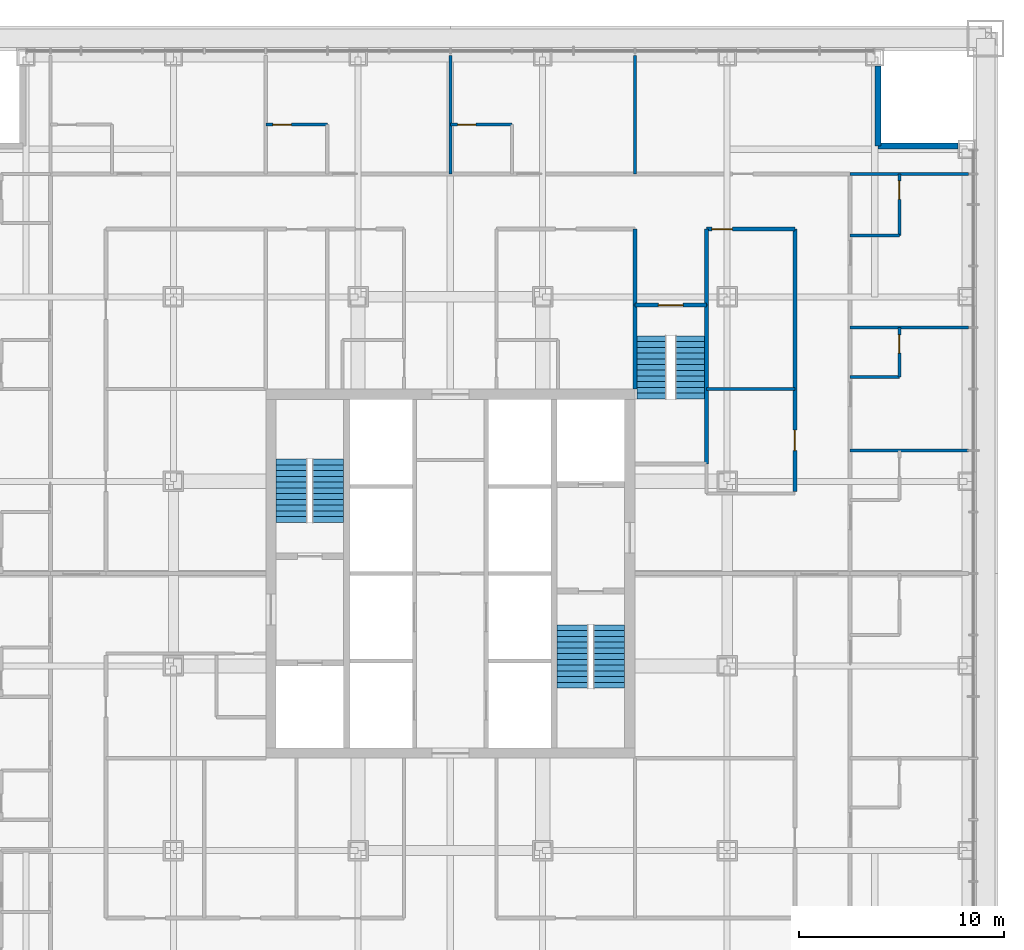
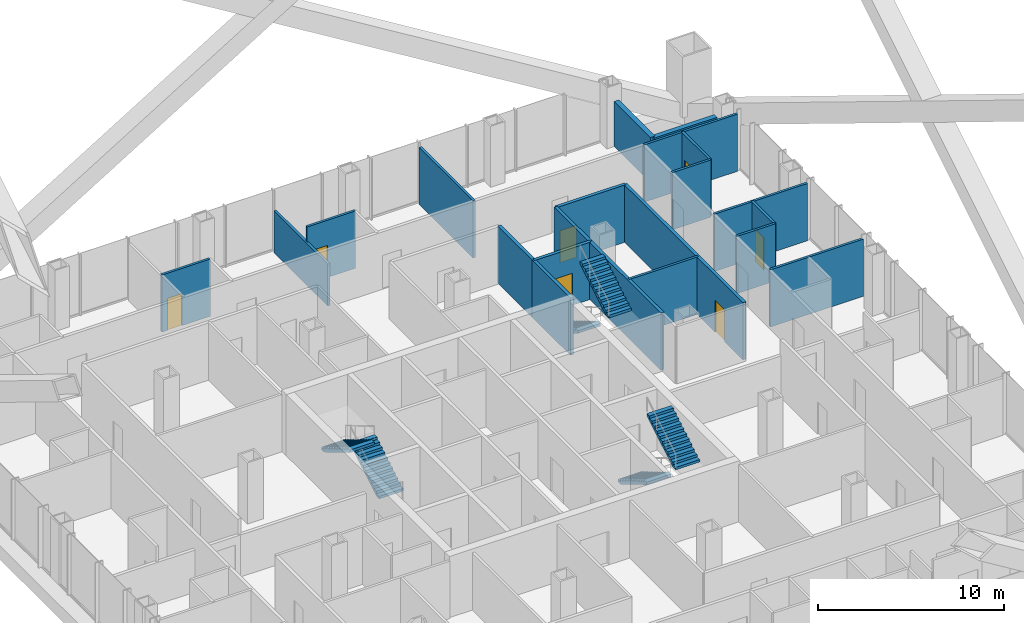
# One storey, part 16 of 21: 21 walls, 7 doors, 6 stair flights, 7 openings, 3 elements without a shape of their own.
"""IFC4 building model written with IfcOpenShell, lengths in metres."""

from ifc_helpers import new_model, si_unit, direction, frame, frame_2d, origin, place, context, subcontext, project, spatial, polyline, rectangle, outline, extrude, material, layer, layer_set, type_object, element, fill, aggregate, save


model = new_model("IFC4")

# Units and contexts
model_context = context("Model", 3, precision=1e-05, world=origin(), true_north=direction((0.0, 1.0)))
body_context = subcontext(model_context, "Body", "Model", "MODEL_VIEW")
ifc_project = project(units=[si_unit("LENGTHUNIT", "METRE"), si_unit("AREAUNIT", "SQUARE_METRE"), si_unit("VOLUMEUNIT", "CUBIC_METRE"), si_unit("PLANEANGLEUNIT", "RADIAN"), si_unit("MASSUNIT", "GRAM", prefix="KILO")], contexts=[model_context])

# Site, building, storey
site_placement = place(None, origin())
site = spatial("IfcSite", under=ifc_project, at=site_placement, CompositionType="ELEMENT")
building_placement = place(site_placement, origin())
building = spatial("IfcBuilding", under=site, at=building_placement, Name="Malebo Sky Hospital", CompositionType="ELEMENT")
storey_placement = place(building_placement, frame((0.0, 0.0, 31.0)))
storey = spatial("IfcBuildingStorey", under=building, at=storey_placement, Name="L06", CompositionType="ELEMENT", Elevation=31.0)

# Wall, opening, door
ifc_material_1 = material(Name="Gypsum board on steel studs", Category="steel")
ifc_layer_1 = layer(ifc_material_1, 0.199951171875)
ifc_layer_set_1 = layer_set([ifc_layer_1], Name="CORRIDOR WALL 200")
wall_type_1 = type_object("IfcWallType", Name="CORRIDOR WALL 200", PredefinedType="PARTITIONING", material=ifc_layer_set_1)
wall_1_placement = place(storey_placement, frame((72.5, 78.800048828125, 0.0), z_axis=(0.0, 0.0, 1.0), x_axis=(1.0, 0.0, 0.0)))
wall_1 = element("IfcWall", 1, at=wall_1_placement, inside=storey, type_object=wall_type_1, Name="Corridor Wall 200 NCI2/2", PredefinedType="PARTITIONING", context=body_context, shape_type="SweptSolid", body=[
    extrude(rectangle(XDim=4.300048828125, YDim=0.199951171875, at=frame_2d((2.14990234375, 0.0))), origin(), (0.0, 0.0, 1.0), 3.75),
])
opening_1_placement = place(wall_1_placement, frame((0.25, 0.0, 0.0)))
opening_1 = element("IfcOpeningElement", 2, at=opening_1_placement, cuts=wall_1, Name="Opening D03", PredefinedType="OPENING", context=body_context, shape_type="SweptSolid", body=[
    extrude(rectangle(XDim=1.0, YDim=2.10009765625, at=frame_2d((0.5, 1.050048828125))), frame((0.0, 0.10986328125, 0.0), z_axis=(0.0, -1.0, 0.0), x_axis=(1.0, 0.0, 0.0)), (0.0, 0.0, 1.0), 0.219970703125),
])
ifc_material_2 = material(Name="Hardwood-faced door leaf in steel frame", Category="steel")
door_type_1 = type_object("IfcDoorType", Name="ROOM DOOR 1000", OperationType="SINGLE_SWING_LEFT", PredefinedType="DOOR", material=ifc_material_2)
door_1_placement = place(opening_1_placement, origin())
door_1 = element("IfcDoor", 3, at=door_1_placement, inside=storey, type_object=door_type_1, Name="Treatment room door", OperationType="SINGLE_SWING_LEFT", OverallHeight=2.10009765625, OverallWidth=1.0, PredefinedType="DOOR", context=body_context, shape_type="SweptSolid", body=[
    extrude(rectangle(XDim=1.0, YDim=2.10009765625, at=frame_2d((0.5, 1.050048828125))), frame((0.0, 0.02490234375, 0.0), z_axis=(0.0, -1.0, 0.0), x_axis=(1.0, 0.0, 0.0)), (0.0, 0.0, 1.0), 0.050048828125),
])
fill(opening_1, door_1)

wall_2_placement = place(storey_placement, frame((76.800048828125, 78.800048828125, 0.0), z_axis=(0.0, 0.0, 1.0), x_axis=(0.0, -1.0, 0.0)))
wall_2 = element("IfcWall", 4, at=wall_2_placement, inside=storey, type_object=wall_type_1, Name="Corridor Wall 200 ECI1", PredefinedType="PARTITIONING", context=body_context, shape_type="SweptSolid", body=[
    extrude(rectangle(XDim=12.800048828125, YDim=0.199951171875, at=frame_2d((6.39990234375, 0.0))), origin(), (0.0, 0.0, 1.0), 3.75),
])
opening_2_placement = place(wall_2_placement, frame((9.800048828125, 0.0, 0.0)))
opening_2 = element("IfcOpeningElement", 5, at=opening_2_placement, cuts=wall_2, Name="Opening D03", PredefinedType="OPENING", context=body_context, shape_type="SweptSolid", body=[
    extrude(rectangle(XDim=1.0, YDim=2.10009765625, at=frame_2d((0.5, 1.050048828125))), frame((0.0, 0.10986328125, 0.0), z_axis=(0.0, -1.0, 0.0), x_axis=(1.0, 0.0, 0.0)), (0.0, 0.0, 1.0), 0.219970703125),
])
door_2_placement = place(opening_2_placement, origin())
door_2 = element("IfcDoor", 6, at=door_2_placement, inside=storey, type_object=door_type_1, Name="Clean utility room door", OperationType="SINGLE_SWING_LEFT", OverallHeight=2.10009765625, OverallWidth=1.0, PredefinedType="DOOR", context=body_context, shape_type="SweptSolid", body=[
    extrude(rectangle(XDim=1.0, YDim=2.10009765625, at=frame_2d((0.5, 1.050048828125))), frame((0.0, 0.02490234375, 0.0), z_axis=(0.0, -1.0, 0.0), x_axis=(1.0, 0.0, 0.0)), (0.0, 0.0, 1.0), 0.050048828125),
])
fill(opening_2, door_2)

# Walls
for number, where, z_axis, x_axis, name in (
    (7, (69.0, 75.10009765625, 0.0), (0.0, 0.0, 1.0), (0.0, 1.0, 0.0), "Corridor Wall 200 ST3AW"),
    (8, (72.5, 75.10009765625, 0.0), (0.0, 0.0, 1.0), (0.0, 1.0, 0.0), "Corridor Wall 200 ST3AE"),
):
    element("IfcWall", number, at=place(storey_placement, frame(where, z_axis=z_axis, x_axis=x_axis)), inside=storey, type_object=wall_type_1, Name=name, PredefinedType="PARTITIONING", context=body_context, shape_type="SweptSolid", body=[
        extrude(rectangle(XDim=3.699951171875, YDim=0.199951171875, at=frame_2d((1.85009765625, 0.0))), origin(), (0.0, 0.0, 1.0), 3.75),
    ])
ifc_material_3 = material(Name="Anodised aluminium rainscreen on steel framing", Category="steel")
ifc_layer_2 = layer(ifc_material_3, 0.300048828125)
ifc_layer_set_2 = layer_set([ifc_layer_2], Name="NOTCH RAINSCREEN WALL 300")
wall_type_2 = type_object("IfcWallType", Name="NOTCH RAINSCREEN WALL 300", PredefinedType="ELEMENTEDWALL", material=ifc_layer_set_2)
for number, where, z_axis, x_axis, name in (
    (9, (80.85009765625, 86.75, 0.0), (0.0, 0.0, 1.0), (0.0, -1.0, 0.0), "Notch rainscreen wall N1 L06"),
    (10, (80.85009765625, 82.85009765625, 0.0), (0.0, 0.0, 1.0), (1.0, 0.0, 0.0), "Notch rainscreen wall N2 L06"),
):
    element("IfcWall", number, at=place(storey_placement, frame(where, z_axis=z_axis, x_axis=x_axis)), inside=storey, type_object=wall_type_2, Name=name, PredefinedType="ELEMENTEDWALL", context=body_context, shape_type="SweptSolid", body=[
        extrude(rectangle(XDim=3.89990234375, YDim=0.300048828125, at=frame_2d((1.949951171875, 0.0))), origin(), (0.0, 0.0, 1.0), 2.949951171875),
    ])
ifc_layer_3 = layer(ifc_material_1, 0.14990234375)
ifc_layer_set_3 = layer_set([ifc_layer_3], Name="PARTITION 150")
wall_type_3 = type_object("IfcWallType", Name="PARTITION 150", PredefinedType="PARTITIONING", material=ifc_layer_set_3)
wall_3_placement = place(storey_placement, frame((60.0, 81.5, 0.0), z_axis=(0.0, 0.0, 1.0), x_axis=(0.0, 1.0, 0.0)))
element("IfcWall", 11, at=wall_3_placement, inside=storey, type_object=wall_type_3, Name="Partition 150 NP+0.0", PredefinedType="PARTITIONING", context=body_context, shape_type="SweptSolid", body=[
    extrude(rectangle(XDim=5.77490234375, YDim=0.14990234375, at=frame_2d((2.887451171875, 0.0))), origin(), (0.0, 0.0, 1.0), 2.75),
])
wall_4_placement = place(storey_placement, frame((69.0, 81.5, 0.0), z_axis=(0.0, 0.0, 1.0), x_axis=(0.0, 1.0, 0.0)))
element("IfcWall", 12, at=wall_4_placement, inside=storey, type_object=wall_type_3, Name="Partition 150 NP+9.0", PredefinedType="PARTITIONING", context=body_context, shape_type="SweptSolid", body=[
    extrude(rectangle(XDim=5.77490234375, YDim=0.14990234375, at=frame_2d((2.887451171875, 0.0))), origin(), (0.0, 0.0, 1.0), 3.75),
])

# Wall, opening, door
wall_5_placement = place(storey_placement, frame((51.0, 83.89990234375, 0.0), z_axis=(0.0, 0.0, 1.0), x_axis=(1.0, 0.0, 0.0)))
wall_5 = element("IfcWall", 13, at=wall_5_placement, inside=storey, type_object=wall_type_3, Name="Partition 150 NE1F", PredefinedType="PARTITIONING", context=body_context, shape_type="SweptSolid", body=[
    extrude(rectangle(XDim=3.0, YDim=0.14990234375, at=frame_2d((1.5, 0.0))), origin(), (0.0, 0.0, 1.0), 3.75),
])
opening_3_placement = place(wall_5_placement, frame((0.35009765625, 0.0, 0.0)))
opening_3 = element("IfcOpeningElement", 14, at=opening_3_placement, cuts=wall_5, Name="Opening D02", PredefinedType="OPENING", context=body_context, shape_type="SweptSolid", body=[
    extrude(rectangle(XDim=0.89990234375, YDim=2.10009765625, at=frame_2d((0.449951171875, 1.050048828125))), frame((0.0, 0.0849609375, 0.0), z_axis=(0.0, -1.0, 0.0), x_axis=(1.0, 0.0, 0.0)), (0.0, 0.0, 1.0), 0.169921875),
])
door_type_2 = type_object("IfcDoorType", Name="EN-SUITE DOOR 900", OperationType="SINGLE_SWING_LEFT", PredefinedType="DOOR", material=ifc_material_2)
door_3_placement = place(opening_3_placement, origin())
door_3 = element("IfcDoor", 15, at=door_3_placement, inside=storey, type_object=door_type_2, Name="En-suite door", OperationType="SINGLE_SWING_LEFT", OverallHeight=2.10009765625, OverallWidth=0.89990234375, PredefinedType="DOOR", context=body_context, shape_type="SweptSolid", body=[
    extrude(rectangle(XDim=0.89990234375, YDim=2.10009765625, at=frame_2d((0.449951171875, 1.050048828125))), frame((0.0, 0.02490234375, 0.0), z_axis=(0.0, -1.0, 0.0), x_axis=(1.0, 0.0, 0.0)), (0.0, 0.0, 1.0), 0.050048828125),
])
fill(opening_3, door_3)

wall_6_placement = place(storey_placement, frame((60.0, 83.89990234375, 0.0), z_axis=(0.0, 0.0, 1.0), x_axis=(1.0, 0.0, 0.0)))
wall_6 = element("IfcWall", 16, at=wall_6_placement, inside=storey, type_object=wall_type_3, Name="Partition 150 NE2F", PredefinedType="PARTITIONING", context=body_context, shape_type="SweptSolid", body=[
    extrude(rectangle(XDim=3.0, YDim=0.14990234375, at=frame_2d((1.5, 0.0))), origin(), (0.0, 0.0, 1.0), 3.75),
])
opening_4_placement = place(wall_6_placement, frame((0.35009765625, 0.0, 0.0)))
opening_4 = element("IfcOpeningElement", 17, at=opening_4_placement, cuts=wall_6, Name="Opening D02", PredefinedType="OPENING", context=body_context, shape_type="SweptSolid", body=[
    extrude(rectangle(XDim=0.89990234375, YDim=2.10009765625, at=frame_2d((0.449951171875, 1.050048828125))), frame((0.0, 0.0849609375, 0.0), z_axis=(0.0, -1.0, 0.0), x_axis=(1.0, 0.0, 0.0)), (0.0, 0.0, 1.0), 0.169921875),
])
door_4_placement = place(opening_4_placement, origin())
door_4 = element("IfcDoor", 18, at=door_4_placement, inside=storey, type_object=door_type_2, Name="En-suite door", OperationType="SINGLE_SWING_LEFT", OverallHeight=2.10009765625, OverallWidth=0.89990234375, PredefinedType="DOOR", context=body_context, shape_type="SweptSolid", body=[
    extrude(rectangle(XDim=0.89990234375, YDim=2.10009765625, at=frame_2d((0.449951171875, 1.050048828125))), frame((0.0, 0.02490234375, 0.0), z_axis=(0.0, -1.0, 0.0), x_axis=(1.0, 0.0, 0.0)), (0.0, 0.0, 1.0), 0.050048828125),
])
fill(opening_4, door_4)

# Walls
for number, where, z_axis, x_axis, name in (
    (19, (79.5, 74.0, 0.0), (0.0, 0.0, 1.0), (1.0, 0.0, 0.0), "Partition 150 EP-12.0"),
    (20, (79.5, 68.0, 0.0), (0.0, 0.0, 1.0), (1.0, 0.0, 0.0), "Partition 150 EP-6.0"),
    (21, (79.5, 81.5, 0.0), (0.0, 0.0, 1.0), (1.0, 0.0, 0.0), "Partition 150 EP0"),
):
    element("IfcWall", number, at=place(storey_placement, frame(where, z_axis=z_axis, x_axis=x_axis)), inside=storey, type_object=wall_type_3, Name=name, PredefinedType="PARTITIONING", context=body_context, shape_type="SweptSolid", body=[
        extrude(rectangle(XDim=5.77490234375, YDim=0.14990234375, at=frame_2d((2.887451171875, 0.0))), origin(), (0.0, 0.0, 1.0), 3.75),
    ])

# Wall, opening, door
wall_7_placement = place(storey_placement, frame((81.89990234375, 81.5, 0.0), z_axis=(0.0, 0.0, 1.0), x_axis=(0.0, -1.0, 0.0)))
wall_7 = element("IfcWall", 22, at=wall_7_placement, inside=storey, type_object=wall_type_3, Name="Partition 150 EE0F", PredefinedType="PARTITIONING", context=body_context, shape_type="SweptSolid", body=[
    extrude(rectangle(XDim=3.0, YDim=0.14990234375, at=frame_2d((1.5, 0.0))), origin(), (0.0, 0.0, 1.0), 3.75),
])
opening_5_placement = place(wall_7_placement, frame((0.35009765625, 0.0, 0.0)))
opening_5 = element("IfcOpeningElement", 23, at=opening_5_placement, cuts=wall_7, Name="Opening D02", PredefinedType="OPENING", context=body_context, shape_type="SweptSolid", body=[
    extrude(rectangle(XDim=0.89990234375, YDim=2.10009765625, at=frame_2d((0.449951171875, 1.050048828125))), frame((0.0, 0.0849609375, 0.0), z_axis=(0.0, -1.0, 0.0), x_axis=(1.0, 0.0, 0.0)), (0.0, 0.0, 1.0), 0.169921875),
])
door_5_placement = place(opening_5_placement, origin())
door_5 = element("IfcDoor", 24, at=door_5_placement, inside=storey, type_object=door_type_2, Name="En-suite door", OperationType="SINGLE_SWING_LEFT", OverallHeight=2.10009765625, OverallWidth=0.89990234375, PredefinedType="DOOR", context=body_context, shape_type="SweptSolid", body=[
    extrude(rectangle(XDim=0.89990234375, YDim=2.10009765625, at=frame_2d((0.449951171875, 1.050048828125))), frame((0.0, 0.02490234375, 0.0), z_axis=(0.0, -1.0, 0.0), x_axis=(1.0, 0.0, 0.0)), (0.0, 0.0, 1.0), 0.050048828125),
])
fill(opening_5, door_5)

# Wall
wall_8_placement = place(storey_placement, frame((79.5, 78.5, 0.0), z_axis=(0.0, 0.0, 1.0), x_axis=(1.0, 0.0, 0.0)))
element("IfcWall", 25, at=wall_8_placement, inside=storey, type_object=wall_type_3, Name="Partition 150 EE0S", PredefinedType="PARTITIONING", context=body_context, shape_type="SweptSolid", body=[
    extrude(rectangle(XDim=2.39990234375, YDim=0.14990234375, at=frame_2d((1.199951171875, 0.0))), origin(), (0.0, 0.0, 1.0), 3.75),
])

# Wall, opening, door
wall_9_placement = place(storey_placement, frame((81.89990234375, 74.0, 0.0), z_axis=(0.0, 0.0, 1.0), x_axis=(0.0, -1.0, 0.0)))
wall_9 = element("IfcWall", 26, at=wall_9_placement, inside=storey, type_object=wall_type_3, Name="Partition 150 EE1F", PredefinedType="PARTITIONING", context=body_context, shape_type="SweptSolid", body=[
    extrude(rectangle(XDim=2.39990234375, YDim=0.14990234375, at=frame_2d((1.199951171875, 0.0))), origin(), (0.0, 0.0, 1.0), 3.75),
])
opening_6_placement = place(wall_9_placement, frame((0.35009765625, 0.0, 0.0)))
opening_6 = element("IfcOpeningElement", 27, at=opening_6_placement, cuts=wall_9, Name="Opening D02", PredefinedType="OPENING", context=body_context, shape_type="SweptSolid", body=[
    extrude(rectangle(XDim=0.89990234375, YDim=2.10009765625, at=frame_2d((0.449951171875, 1.050048828125))), frame((0.0, 0.0849609375, 0.0), z_axis=(0.0, -1.0, 0.0), x_axis=(1.0, 0.0, 0.0)), (0.0, 0.0, 1.0), 0.169921875),
])
door_6_placement = place(opening_6_placement, origin())
door_6 = element("IfcDoor", 28, at=door_6_placement, inside=storey, type_object=door_type_2, Name="En-suite door", OperationType="SINGLE_SWING_LEFT", OverallHeight=2.10009765625, OverallWidth=0.89990234375, PredefinedType="DOOR", context=body_context, shape_type="SweptSolid", body=[
    extrude(rectangle(XDim=0.89990234375, YDim=2.10009765625, at=frame_2d((0.449951171875, 1.050048828125))), frame((0.0, 0.02490234375, 0.0), z_axis=(0.0, -1.0, 0.0), x_axis=(1.0, 0.0, 0.0)), (0.0, 0.0, 1.0), 0.050048828125),
])
fill(opening_6, door_6)

# Walls
wall_10_placement = place(storey_placement, frame((79.5, 71.60009765625, 0.0), z_axis=(0.0, 0.0, 1.0), x_axis=(1.0, 0.0, 0.0)))
element("IfcWall", 29, at=wall_10_placement, inside=storey, type_object=wall_type_3, Name="Partition 150 EE1S", PredefinedType="PARTITIONING", context=body_context, shape_type="SweptSolid", body=[
    extrude(rectangle(XDim=2.39990234375, YDim=0.14990234375, at=frame_2d((1.199951171875, 0.0))), origin(), (0.0, 0.0, 1.0), 3.75),
])
wall_11_placement = place(storey_placement, frame((72.5, 71.0, 0.0), z_axis=(0.0, 0.0, 1.0), x_axis=(1.0, 0.0, 0.0)))
element("IfcWall", 30, at=wall_11_placement, inside=storey, type_object=wall_type_3, Name="Partition 150 ESP0", PredefinedType="PARTITIONING", context=body_context, shape_type="SweptSolid", body=[
    extrude(rectangle(XDim=4.300048828125, YDim=0.14990234375, at=frame_2d((2.14990234375, 0.0))), origin(), (0.0, 0.0, 1.0), 3.75),
])
ifc_material_4 = material(Name="Concrete C40/50", Category="concrete")
ifc_layer_4 = layer(ifc_material_4, 0.199951171875)
ifc_layer_set_4 = layer_set([ifc_layer_4], Name="STAIR ENCLOSURE WALL 200")
wall_type_4 = type_object("IfcWallType", Name="STAIR ENCLOSURE WALL 200", PredefinedType="SOLIDWALL", material=ifc_layer_set_4)
wall_12_placement = place(storey_placement, frame((69.0, 71.0, 0.0), z_axis=(0.0, 0.0, 1.0), x_axis=(0.0, 1.0, 0.0)))
element("IfcWall", 31, at=wall_12_placement, inside=storey, type_object=wall_type_4, Name="Stair Enclosure Wall 200 ST3W", PredefinedType="SOLIDWALL", context=body_context, shape_type="SweptSolid", body=[
    extrude(rectangle(XDim=4.10009765625, YDim=0.199951171875, at=frame_2d((2.050048828125, 0.0))), origin(), (0.0, 0.0, 1.0), 3.75),
])
wall_13_placement = place(storey_placement, frame((72.5, 67.35009765625, 0.0), z_axis=(0.0, 0.0, 1.0), x_axis=(0.0, 1.0, 0.0)))
element("IfcWall", 32, at=wall_13_placement, inside=storey, type_object=wall_type_4, Name="Stair Enclosure Wall 200 ST3E", PredefinedType="SOLIDWALL", context=body_context, shape_type="SweptSolid", body=[
    extrude(rectangle(XDim=7.75, YDim=0.199951171875, at=frame_2d((3.875, 0.0))), origin(), (0.0, 0.0, 1.0), 3.75),
])

# Wall, opening, door
wall_14_placement = place(storey_placement, frame((69.0, 75.10009765625, 0.0), z_axis=(0.0, 0.0, 1.0), x_axis=(1.0, 0.0, 0.0)))
wall_14 = element("IfcWall", 33, at=wall_14_placement, inside=storey, type_object=wall_type_4, Name="Stair Enclosure Wall 200 ST3N", PredefinedType="SOLIDWALL", context=body_context, shape_type="SweptSolid", body=[
    extrude(rectangle(XDim=3.5, YDim=0.199951171875, at=frame_2d((1.75, 0.0))), origin(), (0.0, 0.0, 1.0), 3.75),
])
opening_7_placement = place(wall_14_placement, frame((1.14990234375, 0.0, 0.0)))
opening_7 = element("IfcOpeningElement", 34, at=opening_7_placement, cuts=wall_14, Name="Opening D08", PredefinedType="OPENING", context=body_context, shape_type="SweptSolid", body=[
    extrude(rectangle(XDim=1.199951171875, YDim=2.10009765625, at=frame_2d((0.60009765625, 1.050048828125))), frame((0.0, 0.10986328125, 0.0), z_axis=(0.0, -1.0, 0.0), x_axis=(1.0, 0.0, 0.0)), (0.0, 0.0, 1.0), 0.219970703125),
])
door_type_3 = type_object("IfcDoorType", Name="STAIR DOOR 1200", OperationType="SINGLE_SWING_LEFT", PredefinedType="DOOR", material=ifc_material_2)
door_7_placement = place(opening_7_placement, origin())
door_7 = element("IfcDoor", 35, at=door_7_placement, inside=storey, type_object=door_type_3, Name="Stair S3 door", OperationType="SINGLE_SWING_LEFT", OverallHeight=2.10009765625, OverallWidth=1.199951171875, PredefinedType="DOOR", context=body_context, shape_type="SweptSolid", body=[
    extrude(rectangle(XDim=1.199951171875, YDim=2.10009765625, at=frame_2d((0.60009765625, 1.050048828125))), frame((0.0, 0.02490234375, 0.0), z_axis=(0.0, -1.0, 0.0), x_axis=(1.0, 0.0, 0.0)), (0.0, 0.0, 1.0), 0.050048828125),
])
fill(opening_7, door_7)

# Stair, stair flights
stair_type_1 = type_object("IfcStairType", Name="HALF-TURN STAIR 1400 R167", PredefinedType="HALF_TURN_STAIR", material=ifc_material_4)
stair_1_placement = place(storey_placement, origin())
stair_1 = element("IfcStair", 36, at=stair_1_placement, inside=storey, type_object=stair_type_1, Name="Stair S3 L06 type ST1B", PredefinedType="HALF_TURN_STAIR")
stair_flight_type_1 = type_object("IfcStairFlightType", Name="STAIR FLIGHT 1400 R167", PredefinedType="STRAIGHT", material=ifc_material_4)
stair_flight_1_placement = place(storey_placement, frame((69.800048828125, 73.60009765625, 0.0), z_axis=(0.0, 0.0, 1.0), x_axis=(0.0, -1.0, 0.0)))
stair_flight_1 = element("IfcStairFlight", 37, at=stair_flight_1_placement, type_object=stair_flight_type_1, Name="S3 flight 1 type SF1B", NumberOfRisers=12, NumberOfTreads=11, PredefinedType="STRAIGHT", RiserHeight=0.166666667, TreadLength=0.28, context=body_context, shape_type="SweptSolid", body=[
    extrude(outline(polyline([(0.0, 0.0), (0.0, 0.166748046875), (0.280029296875, 0.166748046875), (0.280029296875, 0.333251953125), (0.56005859375, 0.333251953125), (0.56005859375, 0.5), (0.840087890625, 0.5), (0.840087890625, 0.666748046875), (1.1201171875, 0.666748046875), (1.1201171875, 0.833251953125), (1.39990234375, 0.833251953125), (1.39990234375, 1.0), (1.679931640625, 1.0), (1.679931640625, 1.166748046875), (1.9599609375, 1.166748046875), (1.9599609375, 1.333251953125), (2.239990234375, 1.333251953125), (2.239990234375, 1.5), (2.52001953125, 1.5), (2.52001953125, 1.666748046875), (2.800048828125, 1.666748046875), (2.800048828125, 1.833251953125), (3.080078125, 1.833251953125), (3.080078125, 2.0), (3.080078125, 1.658935546875), (0.29296875, 0.0), (0.0, 0.0)])), frame((0.0, 0.699951171875, 0.0), z_axis=(0.0, -1.0, 0.0), x_axis=(1.0, 0.0, 0.0)), (0.0, 0.0, 1.0), 1.39990234375),
])
stair_flight_2_placement = place(storey_placement, frame((71.699951171875, 70.52001953125, 2.0), z_axis=(0.0, 0.0, 1.0), x_axis=(0.0, 1.0, 0.0)))
stair_flight_2 = element("IfcStairFlight", 38, at=stair_flight_2_placement, type_object=stair_flight_type_1, Name="S3 flight 2 type SF1B", NumberOfRisers=12, NumberOfTreads=11, PredefinedType="STRAIGHT", RiserHeight=0.166666667, TreadLength=0.28, context=body_context, shape_type="SweptSolid", body=[
    extrude(outline(polyline([(0.0, 0.0), (0.0, 0.166748046875), (0.280029296875, 0.166748046875), (0.280029296875, 0.333251953125), (0.56005859375, 0.333251953125), (0.56005859375, 0.5), (0.840087890625, 0.5), (0.840087890625, 0.666748046875), (1.1201171875, 0.666748046875), (1.1201171875, 0.833251953125), (1.39990234375, 0.833251953125), (1.39990234375, 1.0), (1.679931640625, 1.0), (1.679931640625, 1.166748046875), (1.9599609375, 1.166748046875), (1.9599609375, 1.333251953125), (2.239990234375, 1.333251953125), (2.239990234375, 1.5), (2.52001953125, 1.5), (2.52001953125, 1.666748046875), (2.800048828125, 1.666748046875), (2.800048828125, 1.833251953125), (3.080078125, 1.833251953125), (3.080078125, 2.0), (3.080078125, 1.658935546875), (0.29296875, 0.0), (0.0, 0.0)])), frame((0.0, 0.699951171875, 0.0), z_axis=(0.0, -1.0, 0.0), x_axis=(1.0, 0.0, 0.0)), (0.0, 0.0, 1.0), 1.39990234375),
])
aggregate(stair_1, [stair_flight_1, stair_flight_2])

stair_type_2 = type_object("IfcStairType", Name="HALF-TURN STAIR 1500 R167", PredefinedType="HALF_TURN_STAIR", material=ifc_material_4)
stair_2_placement = place(storey_placement, origin())
stair_2 = element("IfcStair", 39, at=stair_2_placement, inside=storey, type_object=stair_type_2, Name="Stair S1 L06 type ST1", PredefinedType="HALF_TURN_STAIR")
stair_flight_type_2 = type_object("IfcStairFlightType", Name="STAIR FLIGHT 1500 R167", PredefinedType="STRAIGHT", material=ifc_material_4)
stair_flight_3_placement = place(storey_placement, frame((54.050048828125, 64.5, 0.0), z_axis=(0.0, 0.0, 1.0), x_axis=(0.0, 1.0, 0.0)))
stair_flight_3 = element("IfcStairFlight", 40, at=stair_flight_3_placement, type_object=stair_flight_type_2, Name="S1 flight 1 type SF1", NumberOfRisers=12, NumberOfTreads=11, PredefinedType="STRAIGHT", RiserHeight=0.166666667, TreadLength=0.28, context=body_context, shape_type="SweptSolid", body=[
    extrude(outline(polyline([(0.0, 0.0), (0.0, 0.166748046875), (0.280029296875, 0.166748046875), (0.280029296875, 0.333251953125), (0.56005859375, 0.333251953125), (0.56005859375, 0.5), (0.840087890625, 0.5), (0.840087890625, 0.666748046875), (1.1201171875, 0.666748046875), (1.1201171875, 0.833251953125), (1.39990234375, 0.833251953125), (1.39990234375, 1.0), (1.679931640625, 1.0), (1.679931640625, 1.166748046875), (1.9599609375, 1.166748046875), (1.9599609375, 1.333251953125), (2.239990234375, 1.333251953125), (2.239990234375, 1.5), (2.52001953125, 1.5), (2.52001953125, 1.666748046875), (2.800048828125, 1.666748046875), (2.800048828125, 1.833251953125), (3.080078125, 1.833251953125), (3.080078125, 2.0), (3.080078125, 1.658935546875), (0.29296875, 0.0), (0.0, 0.0)])), frame((0.0, 0.75, 0.0), z_axis=(0.0, -1.0, 0.0), x_axis=(1.0, 0.0, 0.0)), (0.0, 0.0, 1.0), 1.5),
])
stair_flight_4_placement = place(storey_placement, frame((52.25, 67.580078125, 2.0), z_axis=(0.0, 0.0, 1.0), x_axis=(0.0, -1.0, 0.0)))
stair_flight_4 = element("IfcStairFlight", 41, at=stair_flight_4_placement, type_object=stair_flight_type_2, Name="S1 flight 2 type SF1", NumberOfRisers=12, NumberOfTreads=11, PredefinedType="STRAIGHT", RiserHeight=0.166666667, TreadLength=0.28, context=body_context, shape_type="SweptSolid", body=[
    extrude(outline(polyline([(0.0, 0.0), (0.0, 0.166748046875), (0.280029296875, 0.166748046875), (0.280029296875, 0.333251953125), (0.56005859375, 0.333251953125), (0.56005859375, 0.5), (0.840087890625, 0.5), (0.840087890625, 0.666748046875), (1.1201171875, 0.666748046875), (1.1201171875, 0.833251953125), (1.39990234375, 0.833251953125), (1.39990234375, 1.0), (1.679931640625, 1.0), (1.679931640625, 1.166748046875), (1.9599609375, 1.166748046875), (1.9599609375, 1.333251953125), (2.239990234375, 1.333251953125), (2.239990234375, 1.5), (2.52001953125, 1.5), (2.52001953125, 1.666748046875), (2.800048828125, 1.666748046875), (2.800048828125, 1.833251953125), (3.080078125, 1.833251953125), (3.080078125, 2.0), (3.080078125, 1.658935546875), (0.29296875, 0.0), (0.0, 0.0)])), frame((0.0, 0.75, 0.0), z_axis=(0.0, -1.0, 0.0), x_axis=(1.0, 0.0, 0.0)), (0.0, 0.0, 1.0), 1.5),
])
aggregate(stair_2, [stair_flight_3, stair_flight_4])

stair_3_placement = place(storey_placement, origin())
stair_3 = element("IfcStair", 42, at=stair_3_placement, inside=storey, type_object=stair_type_2, Name="Stair S2 L06 type ST1", PredefinedType="HALF_TURN_STAIR")
stair_flight_5_placement = place(storey_placement, frame((65.949951171875, 59.5, 0.0), z_axis=(0.0, 0.0, 1.0), x_axis=(0.0, -1.0, 0.0)))
stair_flight_5 = element("IfcStairFlight", 43, at=stair_flight_5_placement, type_object=stair_flight_type_2, Name="S2 flight 1 type SF1", NumberOfRisers=12, NumberOfTreads=11, PredefinedType="STRAIGHT", RiserHeight=0.166666667, TreadLength=0.28, context=body_context, shape_type="SweptSolid", body=[
    extrude(outline(polyline([(0.0, 0.0), (0.0, 0.166748046875), (0.280029296875, 0.166748046875), (0.280029296875, 0.333251953125), (0.56005859375, 0.333251953125), (0.56005859375, 0.5), (0.840087890625, 0.5), (0.840087890625, 0.666748046875), (1.1201171875, 0.666748046875), (1.1201171875, 0.833251953125), (1.39990234375, 0.833251953125), (1.39990234375, 1.0), (1.679931640625, 1.0), (1.679931640625, 1.166748046875), (1.9599609375, 1.166748046875), (1.9599609375, 1.333251953125), (2.239990234375, 1.333251953125), (2.239990234375, 1.5), (2.52001953125, 1.5), (2.52001953125, 1.666748046875), (2.800048828125, 1.666748046875), (2.800048828125, 1.833251953125), (3.080078125, 1.833251953125), (3.080078125, 2.0), (3.080078125, 1.658935546875), (0.29296875, 0.0), (0.0, 0.0)])), frame((0.0, 0.75, 0.0), z_axis=(0.0, -1.0, 0.0), x_axis=(1.0, 0.0, 0.0)), (0.0, 0.0, 1.0), 1.5),
])
stair_flight_6_placement = place(storey_placement, frame((67.75, 56.419921875, 2.0), z_axis=(0.0, 0.0, 1.0), x_axis=(0.0, 1.0, 0.0)))
stair_flight_6 = element("IfcStairFlight", 44, at=stair_flight_6_placement, type_object=stair_flight_type_2, Name="S2 flight 2 type SF1", NumberOfRisers=12, NumberOfTreads=11, PredefinedType="STRAIGHT", RiserHeight=0.166666667, TreadLength=0.28, context=body_context, shape_type="SweptSolid", body=[
    extrude(outline(polyline([(0.0, 0.0), (0.0, 0.166748046875), (0.280029296875, 0.166748046875), (0.280029296875, 0.333251953125), (0.56005859375, 0.333251953125), (0.56005859375, 0.5), (0.840087890625, 0.5), (0.840087890625, 0.666748046875), (1.1201171875, 0.666748046875), (1.1201171875, 0.833251953125), (1.39990234375, 0.833251953125), (1.39990234375, 1.0), (1.679931640625, 1.0), (1.679931640625, 1.166748046875), (1.9599609375, 1.166748046875), (1.9599609375, 1.333251953125), (2.239990234375, 1.333251953125), (2.239990234375, 1.5), (2.52001953125, 1.5), (2.52001953125, 1.666748046875), (2.800048828125, 1.666748046875), (2.800048828125, 1.833251953125), (3.080078125, 1.833251953125), (3.080078125, 2.0), (3.080078125, 1.658935546875), (0.29296875, 0.0), (0.0, 0.0)])), frame((0.0, 0.75, 0.0), z_axis=(0.0, -1.0, 0.0), x_axis=(1.0, 0.0, 0.0)), (0.0, 0.0, 1.0), 1.5),
])
aggregate(stair_3, [stair_flight_5, stair_flight_6])

save(model, "model.ifc")
